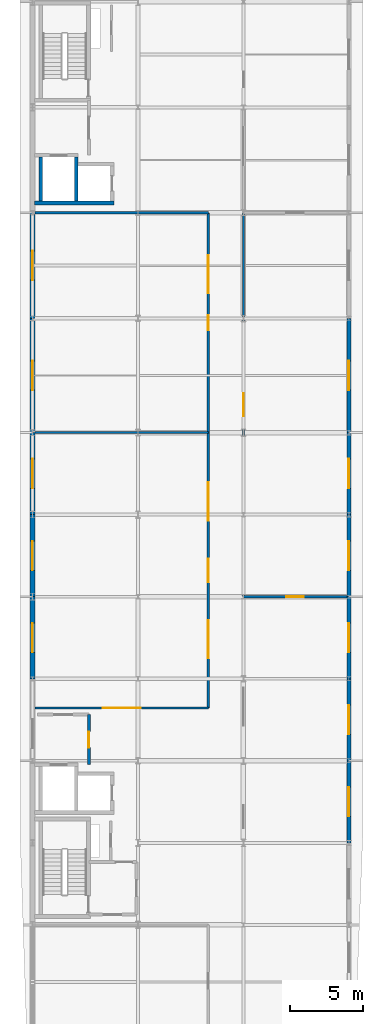
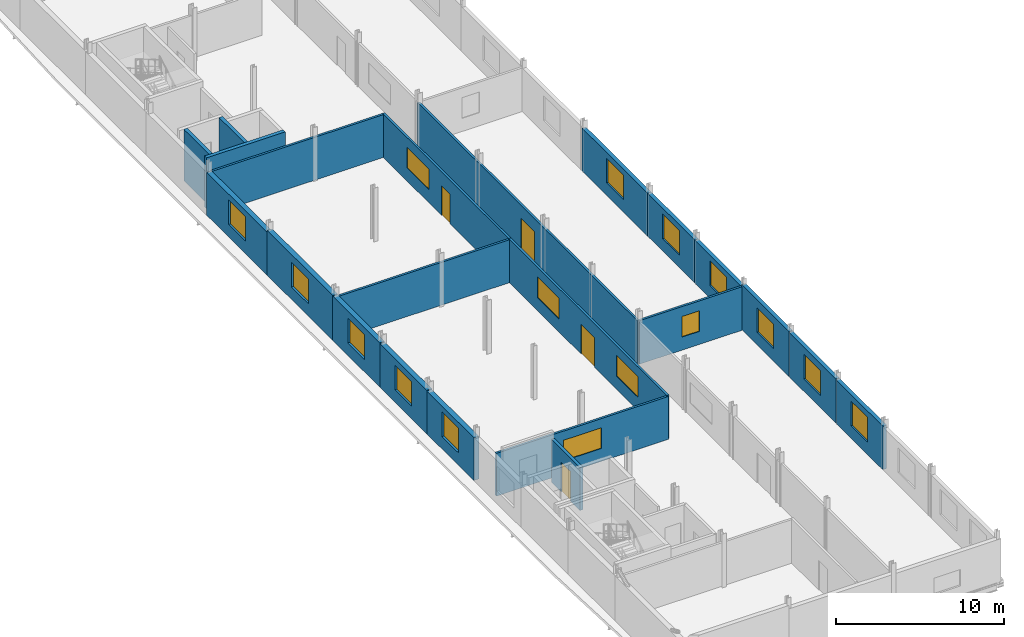
# One storey, part 11 of 16: 22 walls, 16 windows, 4 doors, 20 openings.
"""IFC4 building model written with IfcOpenShell, lengths in metres."""

from ifc_helpers import new_model, si_unit, direction, frame, frame_2d, origin, place, context, subcontext, project, spatial, rectangle, extrude, material, layer, layer_set, type_object, element, fill, save


model = new_model("IFC4")

# Units and contexts
model_context = context("Model", 3, precision=1e-05, world=origin(), true_north=direction((0.0, 1.0)))
body_context = subcontext(model_context, "Body", "Model", "MODEL_VIEW")
ifc_project = project(units=[si_unit("LENGTHUNIT", "METRE"), si_unit("AREAUNIT", "SQUARE_METRE"), si_unit("VOLUMEUNIT", "CUBIC_METRE"), si_unit("PLANEANGLEUNIT", "RADIAN"), si_unit("MASSUNIT", "GRAM", prefix="KILO")], contexts=[model_context])

# Site, building, storey
site_placement = place(None, origin())
site = spatial("IfcSite", under=ifc_project, at=site_placement, CompositionType="ELEMENT")
building_placement = place(site_placement, origin())
building = spatial("IfcBuilding", under=site, at=building_placement, Name="Vinh Khe Railworks Police Headquarters", CompositionType="ELEMENT")
storey_placement = place(building_placement, frame((0.0, 0.0, 28.800048828125)))
storey = spatial("IfcBuildingStorey", under=building, at=storey_placement, Name="L07", CompositionType="ELEMENT", Elevation=28.800048828125)

# Walls
ifc_material_1 = material(Name="Concrete C40/50 (B40)", Category="concrete")
ifc_layer_1 = layer(ifc_material_1, 0.25)
ifc_layer_set_1 = layer_set([ifc_layer_1], Name="Concrete C40/50 (B40)")
wall_type_1 = type_object("IfcWallType", Name="Core Shear Wall 250", PredefinedType="SHEAR", material=ifc_layer_set_1)
wall_1_placement = place(storey_placement, frame((0.75, 74.47509765625, 0.0), z_axis=(0.0, 0.0, 1.0), x_axis=(1.0, 0.0, 0.0)))
element("IfcWall", 1, at=wall_1_placement, inside=storey, type_object=wall_type_1, Name="Core C2 FL-S Lift Shaft Wall (L07)", PredefinedType="SHEAR", context=body_context, shape_type="SweptSolid", body=[
    extrude(rectangle(XDim=5.39990234375, YDim=0.25, at=frame_2d((2.699951171875, 0.0))), origin(), (0.0, 0.0, 1.0), 3.719970703125),
])
for number, where, z_axis, x_axis, name in (
    (2, (1.175048828125, 74.60009765625, 0.0), (0.0, 0.0, 1.0), (0.0, 1.0, 0.0), "Core C2 FL-W Lift Shaft Wall (L07)"),
    (3, (3.60009765625, 74.60009765625, 0.0), (0.0, 0.0, 1.0), (0.0, 1.0, 0.0), "Core C2 LIFT-DIV Lift Shaft Wall (L07)"),
):
    element("IfcWall", number, at=place(storey_placement, frame(where, z_axis=z_axis, x_axis=x_axis)), inside=storey, type_object=wall_type_1, Name=name, PredefinedType="SHEAR", context=body_context, shape_type="SweptSolid", body=[
        extrude(rectangle(XDim=3.0, YDim=0.25, at=frame_2d((1.5, 0.0))), origin(), (0.0, 0.0, 1.0), 3.719970703125),
    ])

# Wall, opening, window
ifc_material_2 = material(Name="Clay brickwork", Category="masonry")
ifc_layer_2 = layer(ifc_material_2, 0.260009765625)
ifc_layer_set_2 = layer_set([ifc_layer_2], Name="Clay brickwork")
wall_type_2 = type_object("IfcWallType", Name="EW-BRK-260", PredefinedType="SOLIDWALL", material=ifc_layer_set_2)
wall_2_placement = place(storey_placement, frame((22.199951171875, 30.800048828125, 0.0), z_axis=(0.0, 0.0, 1.0), x_axis=(0.0, 1.0, 0.0)))
wall_2 = element("IfcWall", 4, at=wall_2_placement, inside=storey, type_object=wall_type_2, Name="Exterior Brick Wall EW-L07-V5E-03", PredefinedType="SOLIDWALL", context=body_context, shape_type="SweptSolid", body=[
    extrude(rectangle(XDim=5.599853515625, YDim=0.260009765625, at=frame_2d((2.7998046875, 0.0))), origin(), (0.0, 0.0, 1.0), 3.1650390625),
])
opening_1_placement = place(wall_2_placement, frame((1.800048828125, 0.0, 0.89990234375)))
opening_1 = element("IfcOpeningElement", 5, at=opening_1_placement, cuts=wall_2, Name="Opening WN-04", PredefinedType="OPENING", context=body_context, shape_type="SweptSolid", body=[
    extrude(rectangle(XDim=2.0, YDim=1.800048828125, at=frame_2d((1.0, 0.89990234375))), frame((0.0, 0.14501953125, 0.0), z_axis=(0.0, -1.0, 0.0), x_axis=(1.0, 0.0, 0.0)), (0.0, 0.0, 1.0), 0.289794921875),
])
ifc_material_3 = material(Name="Double-glazed solar-control glass in dark steel frame", Category="steel")
window_type_1 = type_object("IfcWindowType", Name="WIN-WN-04", PartitioningType="DOUBLE_PANEL_VERTICAL", PredefinedType="WINDOW", material=ifc_material_3)
window_1_placement = place(opening_1_placement, origin())
window_1 = element("IfcWindow", 6, at=window_1_placement, inside=storey, type_object=window_type_1, Name="Casement Window WN-04", OverallHeight=1.800048828125, OverallWidth=2.0, PartitioningType="SINGLE_PANEL", PredefinedType="WINDOW", context=body_context, shape_type="SweptSolid", body=[
    extrude(rectangle(XDim=2.0, YDim=1.800048828125, at=frame_2d((1.0, 0.89990234375))), frame((0.0, 0.030029296875, 0.0), z_axis=(0.0, -1.0, 0.0), x_axis=(1.0, 0.0, 0.0)), (0.0, 0.0, 1.0), 0.06005859375),
])
fill(opening_1, window_1)

wall_3_placement = place(storey_placement, frame((22.199951171875, 36.39990234375, 0.0), z_axis=(0.0, 0.0, 1.0), x_axis=(0.0, 1.0, 0.0)))
wall_3 = element("IfcWall", 7, at=wall_3_placement, inside=storey, type_object=wall_type_2, Name="Exterior Brick Wall EW-L07-V5E-04", PredefinedType="SOLIDWALL", context=body_context, shape_type="SweptSolid", body=[
    extrude(rectangle(XDim=5.60009765625, YDim=0.260009765625, at=frame_2d((2.800048828125, 0.0))), origin(), (0.0, 0.0, 1.0), 3.21484375),
])
opening_2_placement = place(wall_3_placement, frame((1.800048828125, 0.0, 0.89990234375)))
opening_2 = element("IfcOpeningElement", 8, at=opening_2_placement, cuts=wall_3, Name="Opening WN-04", PredefinedType="OPENING", context=body_context, shape_type="SweptSolid", body=[
    extrude(rectangle(XDim=2.0, YDim=1.800048828125, at=frame_2d((1.0, 0.89990234375))), frame((0.0, 0.14501953125, 0.0), z_axis=(0.0, -1.0, 0.0), x_axis=(1.0, 0.0, 0.0)), (0.0, 0.0, 1.0), 0.289794921875),
])
window_2_placement = place(opening_2_placement, origin())
window_2 = element("IfcWindow", 9, at=window_2_placement, inside=storey, type_object=window_type_1, Name="Casement Window WN-04", OverallHeight=1.800048828125, OverallWidth=2.0, PartitioningType="SINGLE_PANEL", PredefinedType="WINDOW", context=body_context, shape_type="SweptSolid", body=[
    extrude(rectangle(XDim=2.0, YDim=1.800048828125, at=frame_2d((1.0, 0.89990234375))), frame((0.0, 0.030029296875, 0.0), z_axis=(0.0, -1.0, 0.0), x_axis=(1.0, 0.0, 0.0)), (0.0, 0.0, 1.0), 0.06005859375),
])
fill(opening_2, window_2)

wall_4_placement = place(storey_placement, frame((22.199951171875, 42.0, 0.0), z_axis=(0.0, 0.0, 1.0), x_axis=(0.0, 1.0, 0.0)))
wall_4 = element("IfcWall", 10, at=wall_4_placement, inside=storey, type_object=wall_type_2, Name="Exterior Brick Wall EW-L07-V5E-05", PredefinedType="SOLIDWALL", context=body_context, shape_type="SweptSolid", body=[
    extrude(rectangle(XDim=5.60009765625, YDim=0.260009765625, at=frame_2d((2.800048828125, 0.0))), origin(), (0.0, 0.0, 1.0), 3.264892578125),
])
opening_3_placement = place(wall_4_placement, frame((1.800048828125, 0.0, 0.89990234375)))
opening_3 = element("IfcOpeningElement", 11, at=opening_3_placement, cuts=wall_4, Name="Opening WN-04", PredefinedType="OPENING", context=body_context, shape_type="SweptSolid", body=[
    extrude(rectangle(XDim=2.0, YDim=1.800048828125, at=frame_2d((1.0, 0.89990234375))), frame((0.0, 0.14501953125, 0.0), z_axis=(0.0, -1.0, 0.0), x_axis=(1.0, 0.0, 0.0)), (0.0, 0.0, 1.0), 0.289794921875),
])
window_3_placement = place(opening_3_placement, origin())
window_3 = element("IfcWindow", 12, at=window_3_placement, inside=storey, type_object=window_type_1, Name="Casement Window WN-04", OverallHeight=1.800048828125, OverallWidth=2.0, PartitioningType="SINGLE_PANEL", PredefinedType="WINDOW", context=body_context, shape_type="SweptSolid", body=[
    extrude(rectangle(XDim=2.0, YDim=1.800048828125, at=frame_2d((1.0, 0.89990234375))), frame((0.0, 0.030029296875, 0.0), z_axis=(0.0, -1.0, 0.0), x_axis=(1.0, 0.0, 0.0)), (0.0, 0.0, 1.0), 0.06005859375),
])
fill(opening_3, window_3)

wall_5_placement = place(storey_placement, frame((22.199951171875, 47.60009765625, 0.0), z_axis=(0.0, 0.0, 1.0), x_axis=(0.0, 1.0, 0.0)))
wall_5 = element("IfcWall", 13, at=wall_5_placement, inside=storey, type_object=wall_type_2, Name="Exterior Brick Wall EW-L07-V5E-06", PredefinedType="SOLIDWALL", context=body_context, shape_type="SweptSolid", body=[
    extrude(rectangle(XDim=5.599853515625, YDim=0.260009765625, at=frame_2d((2.7998046875, 0.0))), origin(), (0.0, 0.0, 1.0), 3.114990234375),
])
opening_4_placement = place(wall_5_placement, frame((1.800048828125, 0.0, 0.89990234375)))
opening_4 = element("IfcOpeningElement", 14, at=opening_4_placement, cuts=wall_5, Name="Opening WN-04", PredefinedType="OPENING", context=body_context, shape_type="SweptSolid", body=[
    extrude(rectangle(XDim=2.0, YDim=1.800048828125, at=frame_2d((1.0, 0.89990234375))), frame((0.0, 0.14501953125, 0.0), z_axis=(0.0, -1.0, 0.0), x_axis=(1.0, 0.0, 0.0)), (0.0, 0.0, 1.0), 0.289794921875),
])
window_4_placement = place(opening_4_placement, origin())
window_4 = element("IfcWindow", 15, at=window_4_placement, inside=storey, type_object=window_type_1, Name="Casement Window WN-04", OverallHeight=1.800048828125, OverallWidth=2.0, PartitioningType="SINGLE_PANEL", PredefinedType="WINDOW", context=body_context, shape_type="SweptSolid", body=[
    extrude(rectangle(XDim=2.0, YDim=1.800048828125, at=frame_2d((1.0, 0.89990234375))), frame((0.0, 0.030029296875, 0.0), z_axis=(0.0, -1.0, 0.0), x_axis=(1.0, 0.0, 0.0)), (0.0, 0.0, 1.0), 0.06005859375),
])
fill(opening_4, window_4)

wall_6_placement = place(storey_placement, frame((22.199951171875, 53.199951171875, 0.0), z_axis=(0.0, 0.0, 1.0), x_axis=(0.0, 1.0, 0.0)))
wall_6 = element("IfcWall", 16, at=wall_6_placement, inside=storey, type_object=wall_type_2, Name="Exterior Brick Wall EW-L07-V5E-07", PredefinedType="SOLIDWALL", context=body_context, shape_type="SweptSolid", body=[
    extrude(rectangle(XDim=5.60009765625, YDim=0.260009765625, at=frame_2d((2.800048828125, 0.0))), origin(), (0.0, 0.0, 1.0), 3.114990234375),
])
opening_5_placement = place(wall_6_placement, frame((1.800048828125, 0.0, 0.89990234375)))
opening_5 = element("IfcOpeningElement", 17, at=opening_5_placement, cuts=wall_6, Name="Opening WN-04", PredefinedType="OPENING", context=body_context, shape_type="SweptSolid", body=[
    extrude(rectangle(XDim=2.0, YDim=1.800048828125, at=frame_2d((1.0, 0.89990234375))), frame((0.0, 0.14501953125, 0.0), z_axis=(0.0, -1.0, 0.0), x_axis=(1.0, 0.0, 0.0)), (0.0, 0.0, 1.0), 0.289794921875),
])
window_5_placement = place(opening_5_placement, origin())
window_5 = element("IfcWindow", 18, at=window_5_placement, inside=storey, type_object=window_type_1, Name="Casement Window WN-04", OverallHeight=1.800048828125, OverallWidth=2.0, PartitioningType="SINGLE_PANEL", PredefinedType="WINDOW", context=body_context, shape_type="SweptSolid", body=[
    extrude(rectangle(XDim=2.0, YDim=1.800048828125, at=frame_2d((1.0, 0.89990234375))), frame((0.0, 0.030029296875, 0.0), z_axis=(0.0, -1.0, 0.0), x_axis=(1.0, 0.0, 0.0)), (0.0, 0.0, 1.0), 0.06005859375),
])
fill(opening_5, window_5)

wall_7_placement = place(storey_placement, frame((22.199951171875, 58.800048828125, 0.0), z_axis=(0.0, 0.0, 1.0), x_axis=(0.0, 1.0, 0.0)))
wall_7 = element("IfcWall", 19, at=wall_7_placement, inside=storey, type_object=wall_type_2, Name="Exterior Brick Wall EW-L07-V5E-08", PredefinedType="SOLIDWALL", context=body_context, shape_type="SweptSolid", body=[
    extrude(rectangle(XDim=7.800048828125, YDim=0.260009765625, at=frame_2d((3.89990234375, 0.0))), origin(), (0.0, 0.0, 1.0), 3.114990234375),
])
opening_6_placement = place(wall_7_placement, frame((2.89990234375, 0.0, 0.89990234375)))
opening_6 = element("IfcOpeningElement", 20, at=opening_6_placement, cuts=wall_7, Name="Opening WN-04", PredefinedType="OPENING", context=body_context, shape_type="SweptSolid", body=[
    extrude(rectangle(XDim=2.0, YDim=1.800048828125, at=frame_2d((1.0, 0.89990234375))), frame((0.0, 0.14501953125, 0.0), z_axis=(0.0, -1.0, 0.0), x_axis=(1.0, 0.0, 0.0)), (0.0, 0.0, 1.0), 0.289794921875),
])
window_6_placement = place(opening_6_placement, origin())
window_6 = element("IfcWindow", 21, at=window_6_placement, inside=storey, type_object=window_type_1, Name="Casement Window WN-04", OverallHeight=1.800048828125, OverallWidth=2.0, PartitioningType="SINGLE_PANEL", PredefinedType="WINDOW", context=body_context, shape_type="SweptSolid", body=[
    extrude(rectangle(XDim=2.0, YDim=1.800048828125, at=frame_2d((1.0, 0.89990234375))), frame((0.0, 0.030029296875, 0.0), z_axis=(0.0, -1.0, 0.0), x_axis=(1.0, 0.0, 0.0)), (0.0, 0.0, 1.0), 0.06005859375),
])
fill(opening_6, window_6)

ifc_layer_3 = layer(ifc_material_2, 0.340087890625)
ifc_layer_set_3 = layer_set([ifc_layer_3], Name="Clay brickwork")
wall_type_3 = type_object("IfcWallType", Name="EW-BRK-340", PredefinedType="SOLIDWALL", material=ifc_layer_set_3)
wall_8_placement = place(storey_placement, frame((0.60009765625, 42.0, 0.0), z_axis=(0.0, 0.0, 1.0), x_axis=(0.0, 1.0, 0.0)))
wall_8 = element("IfcWall", 22, at=wall_8_placement, inside=storey, type_object=wall_type_3, Name="Exterior Brick Wall EW-L07-V5W-05", PredefinedType="SOLIDWALL", context=body_context, shape_type="SweptSolid", body=[
    extrude(rectangle(XDim=5.60009765625, YDim=0.340087890625, at=frame_2d((2.800048828125, 0.0))), origin(), (0.0, 0.0, 1.0), 3.114990234375),
])
opening_7_placement = place(wall_8_placement, frame((1.800048828125, 0.0, 0.89990234375)))
opening_7 = element("IfcOpeningElement", 23, at=opening_7_placement, cuts=wall_8, Name="Opening WN-04", PredefinedType="OPENING", context=body_context, shape_type="SweptSolid", body=[
    extrude(rectangle(XDim=2.0, YDim=1.800048828125, at=frame_2d((1.0, 0.89990234375))), frame((0.0, 0.18505859375, 0.0), z_axis=(0.0, -1.0, 0.0), x_axis=(1.0, 0.0, 0.0)), (0.0, 0.0, 1.0), 0.369873046875),
])
window_7_placement = place(opening_7_placement, origin())
window_7 = element("IfcWindow", 24, at=window_7_placement, inside=storey, type_object=window_type_1, Name="Casement Window WN-04", OverallHeight=1.800048828125, OverallWidth=2.0, PartitioningType="SINGLE_PANEL", PredefinedType="WINDOW", context=body_context, shape_type="SweptSolid", body=[
    extrude(rectangle(XDim=2.0, YDim=1.800048828125, at=frame_2d((1.0, 0.89990234375))), frame((0.0, 0.030029296875, 0.0), z_axis=(0.0, -1.0, 0.0), x_axis=(1.0, 0.0, 0.0)), (0.0, 0.0, 1.0), 0.06005859375),
])
fill(opening_7, window_7)

wall_9_placement = place(storey_placement, frame((0.60009765625, 47.60009765625, 0.0), z_axis=(0.0, 0.0, 1.0), x_axis=(0.0, 1.0, 0.0)))
wall_9 = element("IfcWall", 25, at=wall_9_placement, inside=storey, type_object=wall_type_3, Name="Exterior Brick Wall EW-L07-V5W-06", PredefinedType="SOLIDWALL", context=body_context, shape_type="SweptSolid", body=[
    extrude(rectangle(XDim=5.599853515625, YDim=0.340087890625, at=frame_2d((2.7998046875, 0.0))), origin(), (0.0, 0.0, 1.0), 3.1650390625),
])
opening_8_placement = place(wall_9_placement, frame((1.800048828125, 0.0, 0.89990234375)))
opening_8 = element("IfcOpeningElement", 26, at=opening_8_placement, cuts=wall_9, Name="Opening WN-04", PredefinedType="OPENING", context=body_context, shape_type="SweptSolid", body=[
    extrude(rectangle(XDim=2.0, YDim=1.800048828125, at=frame_2d((1.0, 0.89990234375))), frame((0.0, 0.18505859375, 0.0), z_axis=(0.0, -1.0, 0.0), x_axis=(1.0, 0.0, 0.0)), (0.0, 0.0, 1.0), 0.369873046875),
])
window_8_placement = place(opening_8_placement, origin())
window_8 = element("IfcWindow", 27, at=window_8_placement, inside=storey, type_object=window_type_1, Name="Casement Window WN-04", OverallHeight=1.800048828125, OverallWidth=2.0, PartitioningType="SINGLE_PANEL", PredefinedType="WINDOW", context=body_context, shape_type="SweptSolid", body=[
    extrude(rectangle(XDim=2.0, YDim=1.800048828125, at=frame_2d((1.0, 0.89990234375))), frame((0.0, 0.030029296875, 0.0), z_axis=(0.0, -1.0, 0.0), x_axis=(1.0, 0.0, 0.0)), (0.0, 0.0, 1.0), 0.06005859375),
])
fill(opening_8, window_8)

wall_10_placement = place(storey_placement, frame((0.60009765625, 53.199951171875, 0.0), z_axis=(0.0, 0.0, 1.0), x_axis=(0.0, 1.0, 0.0)))
wall_10 = element("IfcWall", 28, at=wall_10_placement, inside=storey, type_object=wall_type_3, Name="Exterior Brick Wall EW-L07-V5W-07", PredefinedType="SOLIDWALL", context=body_context, shape_type="SweptSolid", body=[
    extrude(rectangle(XDim=5.60009765625, YDim=0.340087890625, at=frame_2d((2.800048828125, 0.0))), origin(), (0.0, 0.0, 1.0), 3.21484375),
])
opening_9_placement = place(wall_10_placement, frame((1.800048828125, 0.0, 0.89990234375)))
opening_9 = element("IfcOpeningElement", 29, at=opening_9_placement, cuts=wall_10, Name="Opening WN-04", PredefinedType="OPENING", context=body_context, shape_type="SweptSolid", body=[
    extrude(rectangle(XDim=2.0, YDim=1.800048828125, at=frame_2d((1.0, 0.89990234375))), frame((0.0, 0.18505859375, 0.0), z_axis=(0.0, -1.0, 0.0), x_axis=(1.0, 0.0, 0.0)), (0.0, 0.0, 1.0), 0.369873046875),
])
window_9_placement = place(opening_9_placement, origin())
window_9 = element("IfcWindow", 30, at=window_9_placement, inside=storey, type_object=window_type_1, Name="Casement Window WN-04", OverallHeight=1.800048828125, OverallWidth=2.0, PartitioningType="SINGLE_PANEL", PredefinedType="WINDOW", context=body_context, shape_type="SweptSolid", body=[
    extrude(rectangle(XDim=2.0, YDim=1.800048828125, at=frame_2d((1.0, 0.89990234375))), frame((0.0, 0.030029296875, 0.0), z_axis=(0.0, -1.0, 0.0), x_axis=(1.0, 0.0, 0.0)), (0.0, 0.0, 1.0), 0.06005859375),
])
fill(opening_9, window_9)

wall_11_placement = place(storey_placement, frame((0.60009765625, 58.800048828125, 0.0), z_axis=(0.0, 0.0, 1.0), x_axis=(0.0, 1.0, 0.0)))
wall_11 = element("IfcWall", 31, at=wall_11_placement, inside=storey, type_object=wall_type_3, Name="Exterior Brick Wall EW-L07-V5W-08", PredefinedType="SOLIDWALL", context=body_context, shape_type="SweptSolid", body=[
    extrude(rectangle(XDim=7.800048828125, YDim=0.340087890625, at=frame_2d((3.89990234375, 0.0))), origin(), (0.0, 0.0, 1.0), 3.264892578125),
])
opening_10_placement = place(wall_11_placement, frame((2.89990234375, 0.0, 0.89990234375)))
opening_10 = element("IfcOpeningElement", 32, at=opening_10_placement, cuts=wall_11, Name="Opening WN-04", PredefinedType="OPENING", context=body_context, shape_type="SweptSolid", body=[
    extrude(rectangle(XDim=2.0, YDim=1.800048828125, at=frame_2d((1.0, 0.89990234375))), frame((0.0, 0.18505859375, 0.0), z_axis=(0.0, -1.0, 0.0), x_axis=(1.0, 0.0, 0.0)), (0.0, 0.0, 1.0), 0.369873046875),
])
window_10_placement = place(opening_10_placement, origin())
window_10 = element("IfcWindow", 33, at=window_10_placement, inside=storey, type_object=window_type_1, Name="Casement Window WN-04", OverallHeight=1.800048828125, OverallWidth=2.0, PartitioningType="SINGLE_PANEL", PredefinedType="WINDOW", context=body_context, shape_type="SweptSolid", body=[
    extrude(rectangle(XDim=2.0, YDim=1.800048828125, at=frame_2d((1.0, 0.89990234375))), frame((0.0, 0.030029296875, 0.0), z_axis=(0.0, -1.0, 0.0), x_axis=(1.0, 0.0, 0.0)), (0.0, 0.0, 1.0), 0.06005859375),
])
fill(opening_10, window_10)

wall_12_placement = place(storey_placement, frame((0.60009765625, 66.60009765625, 0.0), z_axis=(0.0, 0.0, 1.0), x_axis=(0.0, 1.0, 0.0)))
wall_12 = element("IfcWall", 34, at=wall_12_placement, inside=storey, type_object=wall_type_3, Name="Exterior Brick Wall EW-L07-V5W-09", PredefinedType="SOLIDWALL", context=body_context, shape_type="SweptSolid", body=[
    extrude(rectangle(XDim=7.199951171875, YDim=0.340087890625, at=frame_2d((3.60009765625, 0.0))), origin(), (0.0, 0.0, 1.0), 3.114990234375),
])
opening_11_placement = place(wall_12_placement, frame((2.60009765625, 0.0, 0.89990234375)))
opening_11 = element("IfcOpeningElement", 35, at=opening_11_placement, cuts=wall_12, Name="Opening WN-04", PredefinedType="OPENING", context=body_context, shape_type="SweptSolid", body=[
    extrude(rectangle(XDim=2.0, YDim=1.800048828125, at=frame_2d((1.0, 0.89990234375))), frame((0.0, 0.18505859375, 0.0), z_axis=(0.0, -1.0, 0.0), x_axis=(1.0, 0.0, 0.0)), (0.0, 0.0, 1.0), 0.369873046875),
])
window_11_placement = place(opening_11_placement, origin())
window_11 = element("IfcWindow", 36, at=window_11_placement, inside=storey, type_object=window_type_1, Name="Casement Window WN-04", OverallHeight=1.800048828125, OverallWidth=2.0, PartitioningType="SINGLE_PANEL", PredefinedType="WINDOW", context=body_context, shape_type="SweptSolid", body=[
    extrude(rectangle(XDim=2.0, YDim=1.800048828125, at=frame_2d((1.0, 0.89990234375))), frame((0.0, 0.030029296875, 0.0), z_axis=(0.0, -1.0, 0.0), x_axis=(1.0, 0.0, 0.0)), (0.0, 0.0, 1.0), 0.06005859375),
])
fill(opening_11, window_11)

# Wall, opening, door
ifc_material_4 = material(Name="Autoclaved aerated concrete blockwork", Category="masonry")
ifc_layer_4 = layer(ifc_material_4, 0.199951171875)
ifc_layer_set_4 = layer_set([ifc_layer_4], Name="Autoclaved aerated concrete blockwork")
wall_type_4 = type_object("IfcWallType", Name="IW-BLK-200", PredefinedType="PARTITIONING", material=ifc_layer_set_4)
wall_13_placement = place(storey_placement, frame((4.449951171875, 36.14990234375, 0.0), z_axis=(0.0, 0.0, 1.0), x_axis=(0.0, 1.0, 0.0)))
wall_13 = element("IfcWall", 37, at=wall_13_placement, inside=storey, type_object=wall_type_4, Name="Interior Partition W-FFL-C1-E-L07", PredefinedType="PARTITIONING", context=body_context, shape_type="SweptSolid", body=[
    extrude(rectangle(XDim=3.400146484375, YDim=0.199951171875, at=frame_2d((1.7001953125, 0.0))), origin(), (0.0, 0.0, 1.0), 3.114990234375),
])
opening_12_placement = place(wall_13_placement, frame((1.14990234375, 0.0, 0.0)))
opening_12 = element("IfcOpeningElement", 38, at=opening_12_placement, cuts=wall_13, Name="Opening FD-01", PredefinedType="OPENING", context=body_context, shape_type="SweptSolid", body=[
    extrude(rectangle(XDim=1.10009765625, YDim=2.14990234375, at=frame_2d((0.550048828125, 1.074951171875))), frame((0.0, 0.11474609375, 0.0), z_axis=(0.0, -1.0, 0.0), x_axis=(1.0, 0.0, 0.0)), (0.0, 0.0, 1.0), 0.229736328125),
])
ifc_material_5 = material(Name="Painted galvanised steel", Category="steel")
door_type_1 = type_object("IfcDoorType", Name="FD-1100x2150", OperationType="NOTDEFINED", PredefinedType="DOOR", material=ifc_material_5)
door_1_placement = place(opening_12_placement, origin())
door_1 = element("IfcDoor", 39, at=door_1_placement, inside=storey, type_object=door_type_1, Name="Firefighting Lobby Exit Door", OperationType="SINGLE_SWING_LEFT", OverallHeight=2.14990234375, OverallWidth=1.10009765625, PredefinedType="DOOR", context=body_context, shape_type="SweptSolid", body=[
    extrude(rectangle(XDim=1.10009765625, YDim=2.14990234375, at=frame_2d((0.550048828125, 1.074951171875))), frame((0.0, 0.02490234375, 0.0), z_axis=(0.0, -1.0, 0.0), x_axis=(1.0, 0.0, 0.0)), (0.0, 0.0, 1.0), 0.050048828125),
])
fill(opening_12, door_1)

# Wall, opening, window
ifc_material_6 = material(Name="Gypsum plasterboard on steel stud", Category="steel")
ifc_layer_5 = layer(ifc_material_6, 0.1201171875)
ifc_layer_set_5 = layer_set([ifc_layer_5], Name="Gypsum plasterboard on steel stud")
wall_type_5 = type_object("IfcWallType", Name="IW-PART-120", PredefinedType="PARTITIONING", material=ifc_layer_set_5)
wall_14_placement = place(storey_placement, frame((0.780029296875, 40.0, 0.0), z_axis=(0.0, 0.0, 1.0), x_axis=(1.0, 0.0, 0.0)))
wall_14 = element("IfcWall", 40, at=wall_14_placement, inside=storey, type_object=wall_type_5, Name="Interior Partition W-L07-V5-BOARD-DIV", PredefinedType="PARTITIONING", context=body_context, shape_type="SweptSolid", body=[
    extrude(rectangle(XDim=11.820068359375, YDim=0.14990234375, at=frame_2d((5.91015625, 0.0))), origin(), (0.0, 0.0, 1.0), 3.114990234375),
])
opening_13_placement = place(wall_14_placement, frame((4.610107421875, 0.0, 0.949951171875)))
opening_13 = element("IfcOpeningElement", 41, at=opening_13_placement, cuts=wall_14, Name="Opening WN-07", PredefinedType="OPENING", context=body_context, shape_type="SweptSolid", body=[
    extrude(rectangle(XDim=2.60009765625, YDim=1.5, at=frame_2d((1.300048828125, 0.75))), frame((0.0, 0.08984375, 0.0), z_axis=(0.0, -1.0, 0.0), x_axis=(1.0, 0.0, 0.0)), (0.0, 0.0, 1.0), 0.1796875),
])
window_type_2 = type_object("IfcWindowType", Name="WIN-WN-07", PartitioningType="DOUBLE_PANEL_HORIZONTAL", PredefinedType="WINDOW", material=ifc_material_3)
window_12_placement = place(opening_13_placement, origin())
window_12 = element("IfcWindow", 42, at=window_12_placement, inside=storey, type_object=window_type_2, Name="Interior Acoustic Vision Window WN-07", OverallHeight=1.5, OverallWidth=2.60009765625, PartitioningType="SINGLE_PANEL", PredefinedType="WINDOW", context=body_context, shape_type="SweptSolid", body=[
    extrude(rectangle(XDim=2.60009765625, YDim=1.5, at=frame_2d((1.300048828125, 0.75))), frame((0.0, 0.030029296875, 0.0), z_axis=(0.0, -1.0, 0.0), x_axis=(1.0, 0.0, 0.0)), (0.0, 0.0, 1.0), 0.06005859375),
])
fill(opening_13, window_12)

# Walls
for number, where, z_axis, x_axis, name in (
    (43, (0.780029296875, 58.800048828125, 0.0), (0.0, 0.0, 1.0), (1.0, 0.0, 0.0), "Interior Partition W-L07-V5-REGV-DIV"),
    (44, (0.780029296875, 73.800048828125, 0.0), (0.0, 0.0, 1.0), (1.0, 0.0, 0.0), "Interior Partition W-L07-V5-REGV-ENDN"),
):
    element("IfcWall", number, at=place(storey_placement, frame(where, z_axis=z_axis, x_axis=x_axis)), inside=storey, type_object=wall_type_5, Name=name, PredefinedType="PARTITIONING", context=body_context, shape_type="SweptSolid", body=[
        extrude(rectangle(XDim=11.820068359375, YDim=0.14990234375, at=frame_2d((5.91015625, 0.0))), origin(), (0.0, 0.0, 1.0), 3.114990234375),
    ])

# Wall, opening, window
wall_15_placement = place(storey_placement, frame((15.0, 47.60009765625, 0.0), z_axis=(0.0, 0.0, 1.0), x_axis=(1.0, 0.0, 0.0)))
wall_15 = element("IfcWall", 45, at=wall_15_placement, inside=storey, type_object=wall_type_5, Name="Interior Partition W-L07-V5-PLAN7-DIV", PredefinedType="PARTITIONING", context=body_context, shape_type="SweptSolid", body=[
    extrude(rectangle(XDim=7.06005859375, YDim=0.14990234375, at=frame_2d((3.530029296875, 0.0))), origin(), (0.0, 0.0, 1.0), 3.1650390625),
])
opening_14_placement = place(wall_15_placement, frame((2.929931640625, 0.0, 0.949951171875)))
opening_14 = element("IfcOpeningElement", 46, at=opening_14_placement, cuts=wall_15, Name="Opening WN-10", PredefinedType="OPENING", context=body_context, shape_type="SweptSolid", body=[
    extrude(rectangle(XDim=1.199951171875, YDim=1.5, at=frame_2d((0.60009765625, 0.75))), frame((0.0, 0.08984375, 0.0), z_axis=(0.0, -1.0, 0.0), x_axis=(1.0, 0.0, 0.0)), (0.0, 0.0, 1.0), 0.1796875),
])
window_type_3 = type_object("IfcWindowType", Name="WIN-WN-10", PartitioningType="SINGLE_PANEL", PredefinedType="WINDOW", material=ifc_material_3)
window_13_placement = place(opening_14_placement, origin())
window_13 = element("IfcWindow", 47, at=window_13_placement, inside=storey, type_object=window_type_3, Name="Interior Acoustic Vision Window WN-10", OverallHeight=1.5, OverallWidth=1.199951171875, PartitioningType="SINGLE_PANEL", PredefinedType="WINDOW", context=body_context, shape_type="SweptSolid", body=[
    extrude(rectangle(XDim=1.199951171875, YDim=1.5, at=frame_2d((0.60009765625, 0.75))), frame((0.0, 0.030029296875, 0.0), z_axis=(0.0, -1.0, 0.0), x_axis=(1.0, 0.0, 0.0)), (0.0, 0.0, 1.0), 0.06005859375),
])
fill(opening_14, window_13)

# Wall, openings, door, windows
ifc_material_7 = material(Name="Gypsum plasterboard on acoustic steel stud", Category="steel")
ifc_layer_6 = layer(ifc_material_7, 0.14990234375)
ifc_layer_set_6 = layer_set([ifc_layer_6], Name="Gypsum plasterboard on acoustic steel stud")
wall_type_6 = type_object("IfcWallType", Name="IW-PART-150", PredefinedType="PARTITIONING", material=ifc_layer_set_6)
wall_16_placement = place(storey_placement, frame((12.60009765625, 40.0, 0.0), z_axis=(0.0, 0.0, 1.0), x_axis=(0.0, 1.0, 0.0)))
wall_16 = element("IfcWall", 48, at=wall_16_placement, inside=storey, type_object=wall_type_6, Name="Interior Partition W-L07-V5-BOARD-CW", PredefinedType="PARTITIONING", context=body_context, shape_type="SweptSolid", body=[
    extrude(rectangle(XDim=18.800048828125, YDim=0.14990234375, at=frame_2d((9.39990234375, 0.0))), origin(), (0.0, 0.0, 1.0), 3.1650390625),
])
opening_15_placement = place(wall_16_placement, frame((8.60009765625, 0.0, 0.0)))
opening_15 = element("IfcOpeningElement", 49, at=opening_15_placement, cuts=wall_16, Name="Opening D-03", PredefinedType="OPENING", context=body_context, shape_type="SweptSolid", body=[
    extrude(rectangle(XDim=1.60009765625, YDim=2.14990234375, at=frame_2d((0.800048828125, 1.074951171875))), frame((0.0, 0.08984375, 0.0), z_axis=(0.0, -1.0, 0.0), x_axis=(1.0, 0.0, 0.0)), (0.0, 0.0, 1.0), 0.1796875),
])
opening_16_placement = place(wall_16_placement, frame((3.39990234375, 0.0, 0.949951171875)))
opening_16 = element("IfcOpeningElement", 50, at=opening_16_placement, cuts=wall_16, Name="Opening WN-07", PredefinedType="OPENING", context=body_context, shape_type="SweptSolid", body=[
    extrude(rectangle(XDim=2.60009765625, YDim=1.5, at=frame_2d((1.300048828125, 0.75))), frame((0.0, 0.08984375, 0.0), z_axis=(0.0, -1.0, 0.0), x_axis=(1.0, 0.0, 0.0)), (0.0, 0.0, 1.0), 0.1796875),
])
opening_17_placement = place(wall_16_placement, frame((12.800048828125, 0.0, 0.949951171875)))
opening_17 = element("IfcOpeningElement", 51, at=opening_17_placement, cuts=wall_16, Name="Opening WN-07", PredefinedType="OPENING", context=body_context, shape_type="SweptSolid", body=[
    extrude(rectangle(XDim=2.60009765625, YDim=1.5, at=frame_2d((1.300048828125, 0.75))), frame((0.0, 0.08984375, 0.0), z_axis=(0.0, -1.0, 0.0), x_axis=(1.0, 0.0, 0.0)), (0.0, 0.0, 1.0), 0.1796875),
])
door_type_2 = type_object("IfcDoorType", Name="ID-1600x2150", OperationType="DOUBLE_DOOR_SINGLE_SWING", PredefinedType="DOOR", material=ifc_material_5)
door_2_placement = place(opening_15_placement, origin())
door_2 = element("IfcDoor", 52, at=door_2_placement, inside=storey, type_object=door_type_2, Name="Regional Directorate Boardroom Door", OperationType="DOUBLE_DOOR_SINGLE_SWING", OverallHeight=2.14990234375, OverallWidth=1.60009765625, PredefinedType="DOOR", context=body_context, shape_type="SweptSolid", body=[
    extrude(rectangle(XDim=1.60009765625, YDim=2.14990234375, at=frame_2d((0.800048828125, 1.074951171875))), frame((0.0, 0.02490234375, 0.0), z_axis=(0.0, -1.0, 0.0), x_axis=(1.0, 0.0, 0.0)), (0.0, 0.0, 1.0), 0.050048828125),
])
fill(opening_15, door_2)
window_14_placement = place(opening_16_placement, origin())
window_14 = element("IfcWindow", 53, at=window_14_placement, inside=storey, type_object=window_type_2, Name="Interior Acoustic Vision Window WN-07", OverallHeight=1.5, OverallWidth=2.60009765625, PartitioningType="SINGLE_PANEL", PredefinedType="WINDOW", context=body_context, shape_type="SweptSolid", body=[
    extrude(rectangle(XDim=2.60009765625, YDim=1.5, at=frame_2d((1.300048828125, 0.75))), frame((0.0, 0.030029296875, 0.0), z_axis=(0.0, -1.0, 0.0), x_axis=(1.0, 0.0, 0.0)), (0.0, 0.0, 1.0), 0.06005859375),
])
fill(opening_16, window_14)
window_15_placement = place(opening_17_placement, origin())
window_15 = element("IfcWindow", 54, at=window_15_placement, inside=storey, type_object=window_type_2, Name="Interior Acoustic Vision Window WN-07", OverallHeight=1.5, OverallWidth=2.60009765625, PartitioningType="SINGLE_PANEL", PredefinedType="WINDOW", context=body_context, shape_type="SweptSolid", body=[
    extrude(rectangle(XDim=2.60009765625, YDim=1.5, at=frame_2d((1.300048828125, 0.75))), frame((0.0, 0.030029296875, 0.0), z_axis=(0.0, -1.0, 0.0), x_axis=(1.0, 0.0, 0.0)), (0.0, 0.0, 1.0), 0.06005859375),
])
fill(opening_17, window_15)

# Wall, openings, door, window
wall_17_placement = place(storey_placement, frame((12.60009765625, 58.800048828125, 0.0), z_axis=(0.0, 0.0, 1.0), x_axis=(0.0, 1.0, 0.0)))
wall_17 = element("IfcWall", 55, at=wall_17_placement, inside=storey, type_object=wall_type_6, Name="Interior Partition W-L07-V5-REGV-CW", PredefinedType="PARTITIONING", context=body_context, shape_type="SweptSolid", body=[
    extrude(rectangle(XDim=15.0, YDim=0.14990234375, at=frame_2d((7.5, 0.0))), origin(), (0.0, 0.0, 1.0), 3.1650390625),
])
opening_18_placement = place(wall_17_placement, frame((7.0, 0.0, 0.0)))
opening_18 = element("IfcOpeningElement", 56, at=opening_18_placement, cuts=wall_17, Name="Opening FD-03", PredefinedType="OPENING", context=body_context, shape_type="SweptSolid", body=[
    extrude(rectangle(XDim=1.0, YDim=2.14990234375, at=frame_2d((0.5, 1.074951171875))), frame((0.0, 0.08984375, 0.0), z_axis=(0.0, -1.0, 0.0), x_axis=(1.0, 0.0, 0.0)), (0.0, 0.0, 1.0), 0.1796875),
])
opening_19_placement = place(wall_17_placement, frame((9.5, 0.0, 0.949951171875)))
opening_19 = element("IfcOpeningElement", 57, at=opening_19_placement, cuts=wall_17, Name="Opening WN-07", PredefinedType="OPENING", context=body_context, shape_type="SweptSolid", body=[
    extrude(rectangle(XDim=2.60009765625, YDim=1.5, at=frame_2d((1.300048828125, 0.75))), frame((0.0, 0.08984375, 0.0), z_axis=(0.0, -1.0, 0.0), x_axis=(1.0, 0.0, 0.0)), (0.0, 0.0, 1.0), 0.1796875),
])
door_type_3 = type_object("IfcDoorType", Name="FD-1000x2150", OperationType="NOTDEFINED", PredefinedType="DOOR", material=ifc_material_5)
door_3_placement = place(opening_18_placement, origin())
door_3 = element("IfcDoor", 58, at=door_3_placement, inside=storey, type_object=door_type_3, Name="Classified Records Registry Vault Door", OperationType="SINGLE_SWING_LEFT", OverallHeight=2.14990234375, OverallWidth=1.0, PredefinedType="DOOR", context=body_context, shape_type="SweptSolid", body=[
    extrude(rectangle(XDim=1.0, YDim=2.14990234375, at=frame_2d((0.5, 1.074951171875))), frame((0.0, 0.02490234375, 0.0), z_axis=(0.0, -1.0, 0.0), x_axis=(1.0, 0.0, 0.0)), (0.0, 0.0, 1.0), 0.050048828125),
])
fill(opening_18, door_3)
window_16_placement = place(opening_19_placement, origin())
window_16 = element("IfcWindow", 59, at=window_16_placement, inside=storey, type_object=window_type_2, Name="Interior Acoustic Vision Window WN-07", OverallHeight=1.5, OverallWidth=2.60009765625, PartitioningType="SINGLE_PANEL", PredefinedType="WINDOW", context=body_context, shape_type="SweptSolid", body=[
    extrude(rectangle(XDim=2.60009765625, YDim=1.5, at=frame_2d((1.300048828125, 0.75))), frame((0.0, 0.030029296875, 0.0), z_axis=(0.0, -1.0, 0.0), x_axis=(1.0, 0.0, 0.0)), (0.0, 0.0, 1.0), 0.06005859375),
])
fill(opening_19, window_16)

# Wall, opening, door
wall_18_placement = place(storey_placement, frame((15.0, 47.60009765625, 0.0), z_axis=(0.0, 0.0, 1.0), x_axis=(0.0, 1.0, 0.0)))
wall_18 = element("IfcWall", 60, at=wall_18_placement, inside=storey, type_object=wall_type_6, Name="Interior Partition W-L07-V5-PLAN7-CE", PredefinedType="PARTITIONING", context=body_context, shape_type="SweptSolid", body=[
    extrude(rectangle(XDim=26.199951171875, YDim=0.14990234375, at=frame_2d((13.10009765625, 0.0))), origin(), (0.0, 0.0, 1.0), 3.114990234375),
])
opening_20_placement = place(wall_18_placement, frame((12.300048828125, 0.0, 0.0)))
opening_20 = element("IfcOpeningElement", 61, at=opening_20_placement, cuts=wall_18, Name="Opening D-03", PredefinedType="OPENING", context=body_context, shape_type="SweptSolid", body=[
    extrude(rectangle(XDim=1.60009765625, YDim=2.14990234375, at=frame_2d((0.800048828125, 1.074951171875))), frame((0.0, 0.08984375, 0.0), z_axis=(0.0, -1.0, 0.0), x_axis=(1.0, 0.0, 0.0)), (0.0, 0.0, 1.0), 0.1796875),
])
door_4_placement = place(opening_20_placement, origin())
door_4 = element("IfcDoor", 62, at=door_4_placement, inside=storey, type_object=door_type_2, Name="Operational Planning and Logistics Office Door", OperationType="DOUBLE_DOOR_SINGLE_SWING", OverallHeight=2.14990234375, OverallWidth=1.60009765625, PredefinedType="DOOR", context=body_context, shape_type="SweptSolid", body=[
    extrude(rectangle(XDim=1.60009765625, YDim=2.14990234375, at=frame_2d((0.800048828125, 1.074951171875))), frame((0.0, 0.02490234375, 0.0), z_axis=(0.0, -1.0, 0.0), x_axis=(1.0, 0.0, 0.0)), (0.0, 0.0, 1.0), 0.050048828125),
])
fill(opening_20, door_4)

save(model, "model.ifc")
